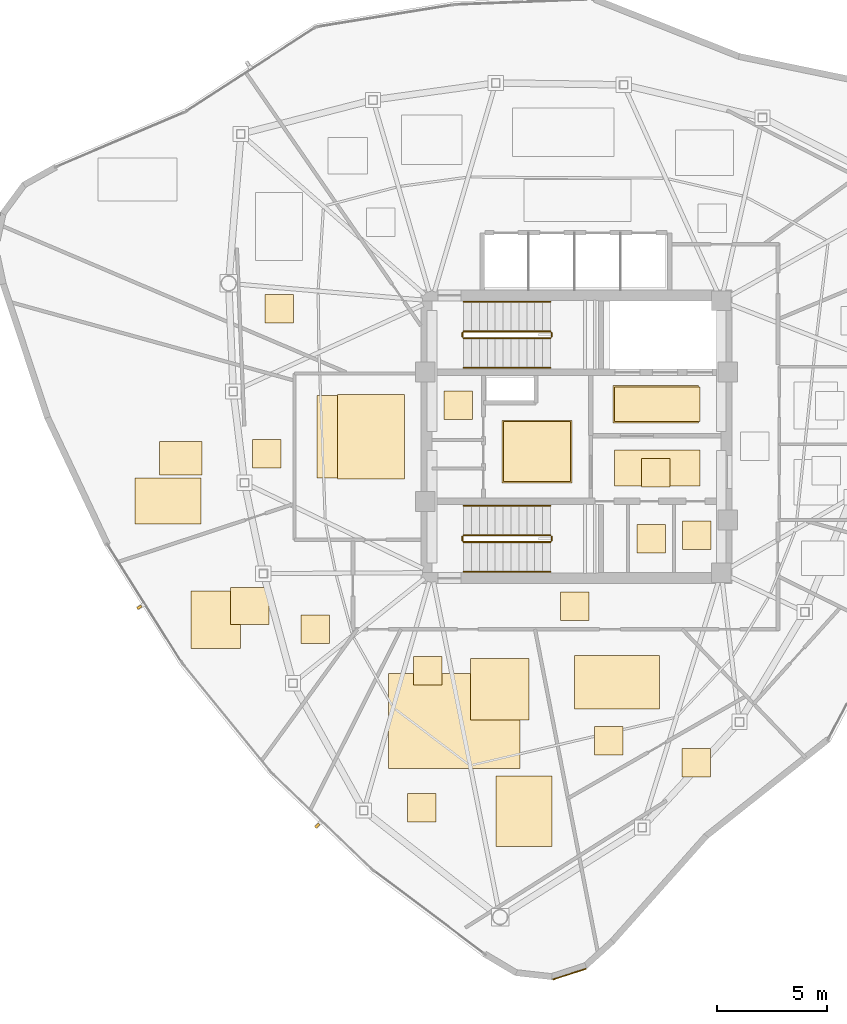
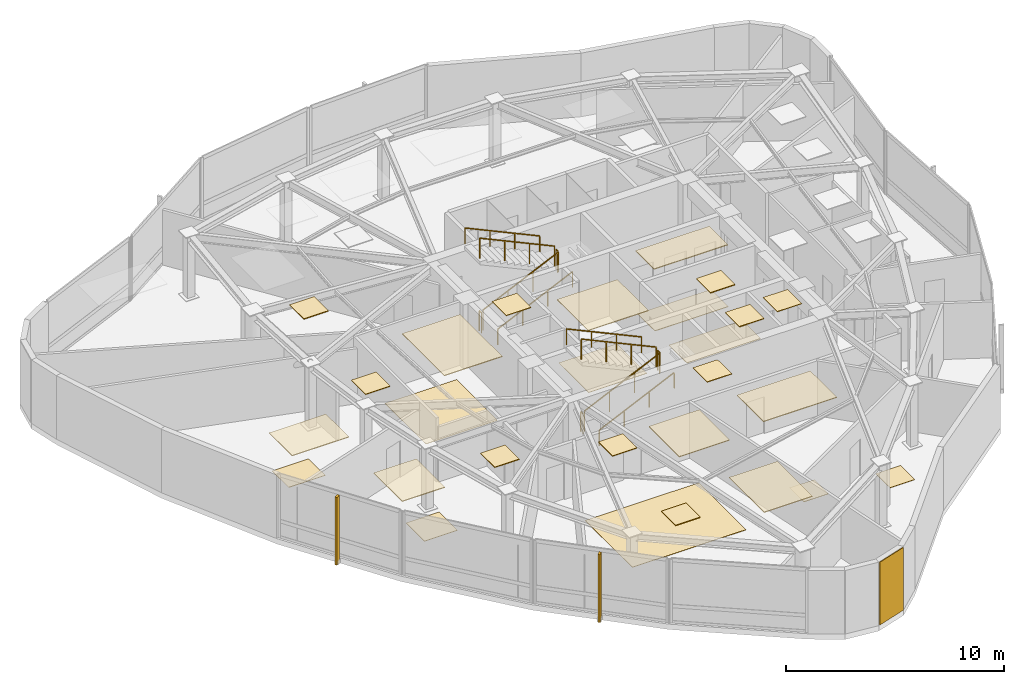
# One storey, part 11 of 12: 28 coverings, 12 railings, 2 shading devices.
"""IFC4 building model written with IfcOpenShell, lengths in metres."""

from ifc_helpers import new_model, si_unit, direction, frame, origin, origin_2d, place, context, subcontext, project, spatial, polyline, rectangle, outline, extrude, source, transform, mapped, material, layer, layer_set, type_object, type_shapes, element, save


model = new_model("IFC4")

# Units and contexts
model_context = context("Model", 3, precision=1e-05, world=origin(), true_north=direction((0.0, 1.0)))
body_context = subcontext(model_context, "Body", "Model", "MODEL_VIEW")
ifc_project = project(units=[si_unit("LENGTHUNIT", "METRE"), si_unit("AREAUNIT", "SQUARE_METRE"), si_unit("VOLUMEUNIT", "CUBIC_METRE"), si_unit("PLANEANGLEUNIT", "RADIAN"), si_unit("MASSUNIT", "GRAM", prefix="KILO")], contexts=[model_context])

# Site, building, storey
site_placement = place(None, origin())
site = spatial("IfcSite", under=ifc_project, at=site_placement, CompositionType="ELEMENT")
building_placement = place(site_placement, origin())
building = spatial("IfcBuilding", under=site, at=building_placement, Name="Tavelor Broadcast Tower", CompositionType="ELEMENT")
storey_placement = place(building_placement, frame((0.0, 0.0, 321.5)))
storey = spatial("IfcBuildingStorey", under=building, at=storey_placement, Name="L77", CompositionType="ELEMENT", Elevation=321.5)

# Coverings
ifc_material_1 = material(Name="Copper-Bronze Anodized Aluminium", Category="aluminium")
ifc_layer_1 = layer(ifc_material_1, 0.044921875)
ifc_layer_set_1 = layer_set([ifc_layer_1], Name="Copper-Bronze Anodized Aluminium")
covering_type_1 = type_object("IfcCoveringType", Name="Anodised Bronze Linear Slatted Concourse Ceiling 45 mm", PredefinedType="CEILING", material=ifc_layer_set_1)
covering_1_placement = place(storey_placement, frame((0.0, 0.0, 3.5048828125)))
element("IfcCovering", 1, at=covering_1_placement, inside=storey, type_object=covering_type_1, Name="L77 Suspended Acoustic Ceiling 2881", PredefinedType="CEILING", context=body_context, shape_type="SweptSolid", body=[
    extrude(outline(polyline([(51.659912109375, 45.6318359375), (55.55712890625, 45.6318359375), (55.55712890625, 47.328125), (51.659912109375, 47.328125), (51.659912109375, 45.6318359375)])), origin(), (0.0, 0.0, 1.0), 0.045166015625),
])
covering_2_placement = place(storey_placement, frame((0.0, 0.0, 3.5048828125)))
element("IfcCovering", 2, at=covering_2_placement, inside=storey, type_object=covering_type_1, Name="L77 Suspended Acoustic Ceiling 2882", PredefinedType="CEILING", context=body_context, shape_type="SweptSolid", body=[
    extrude(outline(polyline([(52.95361328125, 42.705078125), (54.25341796875, 42.705078125), (54.25341796875, 44.0048828125), (52.95361328125, 44.0048828125), (52.95361328125, 42.705078125)])), origin(), (0.0, 0.0, 1.0), 0.045166015625),
])
ifc_layer_2 = layer(ifc_material_1, 0.050048828125)
ifc_layer_set_2 = layer_set([ifc_layer_2], Name="Copper-Bronze Anodized Aluminium")
covering_type_2 = type_object("IfcCoveringType", Name="Champagne-Bronze Corner Pier Metal Cladding 50 mm", PredefinedType="CLADDING", material=ifc_layer_set_2)
covering_3_placement = place(storey_placement, frame((49.676513671875, 20.48779296875, 0.02001953125), z_axis=(0.0, 0.0, 1.0), x_axis=(0.951862260753, 0.306526078098, 0.0)))
element("IfcCovering", 3, at=covering_3_placement, inside=storey, type_object=covering_type_2, Name="L77 Champagne-Bronze Corner Cladding 13", PredefinedType="CLADDING", context=body_context, shape_type="SweptSolid", body=[
    extrude(rectangle(XDim=1.589111328125, YDim=0.050048828125, at=origin_2d()), origin(), (0.0, 0.0, 1.0), 3.510009765625),
])

# Railings
ifc_material_2 = material(Name="Steel S355", Category="steel")
railing_type_1 = type_object("IfcRailingType", Name="Continuous Brushed Stainless Handrail 900 mm", PredefinedType="HANDRAIL", material=ifc_material_2)
railing_1_placement = place(storey_placement, frame((44.85009765625, 48.14990234375, 0.166748046875)))
element("IfcRailing", 4, at=railing_1_placement, inside=storey, type_object=railing_type_1, Name="L77 ST1 stair handrail 1", PredefinedType="HANDRAIL", context=body_context, shape_type="SweptSolid", body=[
    extrude(rectangle(XDim=0.048095703125, YDim=0.048095703125, at=origin_2d()), frame((0.0, 0.0, 0.8759765625), z_axis=(0.907472437036, 0.0, 0.420111623286), x_axis=(0.0, 1.0, 0.0)), (0.0, 0.0, 1.0), 4.36376953125),
    extrude(rectangle(XDim=0.0419921875, YDim=0.0419921875, at=origin_2d()), origin(), (0.0, 0.0, 1.0), 0.851806640625),
    extrude(rectangle(XDim=0.0419921875, YDim=0.0419921875, at=origin_2d()), frame((1.320068359375, 0.0, 0.611083984375)), (0.0, 0.0, 1.0), 0.851806640625),
    extrude(rectangle(XDim=0.0419921875, YDim=0.0419921875, at=origin_2d()), frame((2.639892578125, 0.0, 1.22216796875)), (0.0, 0.0, 1.0), 0.851806640625),
    extrude(rectangle(XDim=0.0419921875, YDim=0.0419921875, at=origin_2d()), frame((3.9599609375, 0.0, 1.833251953125)), (0.0, 0.0, 1.0), 0.851806640625),
])
railing_2_placement = place(storey_placement, frame((48.81005859375, 51.14990234375, 2.166748046875)))
element("IfcRailing", 5, at=railing_2_placement, inside=storey, type_object=railing_type_1, Name="L77 ST1 stair handrail 2", PredefinedType="HANDRAIL", context=body_context, shape_type="SweptSolid", body=[
    extrude(rectangle(XDim=0.048095703125, YDim=0.048095703125, at=origin_2d()), frame((0.0, 0.0, 0.8759765625), z_axis=(-0.907472437036, 0.0, 0.420111623286), x_axis=(0.0, -1.0, 0.0)), (0.0, 0.0, 1.0), 4.36376953125),
    extrude(rectangle(XDim=0.0419921875, YDim=0.0419921875, at=origin_2d()), origin(), (0.0, 0.0, 1.0), 0.851806640625),
    extrude(rectangle(XDim=0.0419921875, YDim=0.0419921875, at=origin_2d()), frame((-1.320068359375, 0.0, 0.611083984375)), (0.0, 0.0, 1.0), 0.851806640625),
    extrude(rectangle(XDim=0.0419921875, YDim=0.0419921875, at=origin_2d()), frame((-2.639892578125, 0.0, 1.22216796875)), (0.0, 0.0, 1.0), 0.851806640625),
    extrude(rectangle(XDim=0.0419921875, YDim=0.0419921875, at=origin_2d()), frame((-3.9599609375, 0.0, 1.833251953125)), (0.0, 0.0, 1.0), 0.851806640625),
])
railing_3_placement = place(storey_placement, frame((44.85009765625, 38.85009765625, 0.166748046875)))
element("IfcRailing", 6, at=railing_3_placement, inside=storey, type_object=railing_type_1, Name="L77 ST2 stair handrail 1", PredefinedType="HANDRAIL", context=body_context, shape_type="SweptSolid", body=[
    extrude(rectangle(XDim=0.048095703125, YDim=0.048095703125, at=origin_2d()), frame((0.0, 0.0, 0.8759765625), z_axis=(0.907472437036, 0.0, 0.420111623286), x_axis=(0.0, 1.0, 0.0)), (0.0, 0.0, 1.0), 4.36376953125),
    extrude(rectangle(XDim=0.0419921875, YDim=0.0419921875, at=origin_2d()), origin(), (0.0, 0.0, 1.0), 0.851806640625),
    extrude(rectangle(XDim=0.0419921875, YDim=0.0419921875, at=origin_2d()), frame((1.320068359375, 0.0, 0.611083984375)), (0.0, 0.0, 1.0), 0.851806640625),
    extrude(rectangle(XDim=0.0419921875, YDim=0.0419921875, at=origin_2d()), frame((2.639892578125, 0.0, 1.22216796875)), (0.0, 0.0, 1.0), 0.851806640625),
    extrude(rectangle(XDim=0.0419921875, YDim=0.0419921875, at=origin_2d()), frame((3.9599609375, 0.0, 1.833251953125)), (0.0, 0.0, 1.0), 0.851806640625),
])
railing_4_placement = place(storey_placement, frame((48.81005859375, 41.85009765625, 2.166748046875)))
element("IfcRailing", 7, at=railing_4_placement, inside=storey, type_object=railing_type_1, Name="L77 ST2 stair handrail 2", PredefinedType="HANDRAIL", context=body_context, shape_type="SweptSolid", body=[
    extrude(rectangle(XDim=0.048095703125, YDim=0.048095703125, at=origin_2d()), frame((0.0, 0.0, 0.8759765625), z_axis=(-0.907472437036, 0.0, 0.420111623286), x_axis=(0.0, -1.0, 0.0)), (0.0, 0.0, 1.0), 4.36376953125),
    extrude(rectangle(XDim=0.0419921875, YDim=0.0419921875, at=origin_2d()), origin(), (0.0, 0.0, 1.0), 0.851806640625),
    extrude(rectangle(XDim=0.0419921875, YDim=0.0419921875, at=origin_2d()), frame((-1.320068359375, 0.0, 0.611083984375)), (0.0, 0.0, 1.0), 0.851806640625),
    extrude(rectangle(XDim=0.0419921875, YDim=0.0419921875, at=origin_2d()), frame((-2.639892578125, 0.0, 1.22216796875)), (0.0, 0.0, 1.0), 0.851806640625),
    extrude(rectangle(XDim=0.0419921875, YDim=0.0419921875, at=origin_2d()), frame((-3.9599609375, 0.0, 1.833251953125)), (0.0, 0.0, 1.0), 0.851806640625),
])

# Coverings
ifc_material_3 = material(Name="Architectural Anodized Aluminium", Category="aluminium")
ifc_layer_3 = layer(ifc_material_3, 0.034912109375)
ifc_layer_set_3 = layer_set([ifc_layer_3], Name="Architectural Anodized Aluminium")
covering_type_3 = type_object("IfcCoveringType", Name="Demountable Metal Tile Corridor Ceiling 35 mm", PredefinedType="CEILING", material=ifc_layer_set_3)
covering_4_placement = place(storey_placement, frame((0.0, 0.0, 3.514892578125)))
element("IfcCovering", 8, at=covering_4_placement, inside=storey, type_object=covering_type_3, Name="L77 Suspended Acoustic Ceiling 2888", PredefinedType="CEILING", context=body_context, shape_type="SweptSolid", body=[
    extrude(outline(polyline([(49.261474609375, 36.610107421875), (50.5615234375, 36.610107421875), (50.5615234375, 37.909912109375), (49.261474609375, 37.909912109375), (49.261474609375, 36.610107421875)])), origin(), (0.0, 0.0, 1.0), 0.03515625),
])
ifc_material_4 = material(Name="Acoustic Nylon Carpet Tile")
ifc_layer_4 = layer(ifc_material_4, 0.02001953125)
ifc_layer_set_4 = layer_set([ifc_layer_4], Name="Acoustic Nylon Carpet Tile")
covering_type_4 = type_object("IfcCoveringType", Name="Heavy-Duty Acoustic Broadcast Carpet Tile 20 mm", PredefinedType="FLOORING", material=ifc_layer_set_4)
covering_5_placement = place(storey_placement, origin())
element("IfcCovering", 9, at=covering_5_placement, inside=storey, type_object=covering_type_4, Name="L77 Broadcast Floor Finish 1142", PredefinedType="FLOORING", context=body_context, shape_type="SweptSolid", body=[
    extrude(outline(polyline([(46.6591796875, 42.953369140625), (49.730712890625, 42.953369140625), (49.730712890625, 45.6865234375), (46.6591796875, 45.6865234375), (46.6591796875, 42.953369140625)])), origin(), (0.0, 0.0, 1.0), 0.02001953125),
])
covering_6_placement = place(storey_placement, origin())
element("IfcCovering", 10, at=covering_6_placement, inside=storey, type_object=covering_type_4, Name="L77 Broadcast Floor Finish 1144", PredefinedType="FLOORING", context=body_context, shape_type="SweptSolid", body=[
    extrude(outline(polyline([(38.15771484375, 43.12890625), (41.942138671875, 43.12890625), (41.942138671875, 46.87060546875), (38.15771484375, 46.87060546875), (38.15771484375, 43.12890625)])), origin(), (0.0, 0.0, 1.0), 0.02001953125),
])
covering_7_placement = place(storey_placement, origin())
element("IfcCovering", 11, at=covering_7_placement, inside=storey, type_object=covering_type_4, Name="L77 Broadcast Floor Finish 1149", PredefinedType="FLOORING", context=body_context, shape_type="SweptSolid", body=[
    extrude(outline(polyline([(54.807861328125, 29.481689453125), (56.10791015625, 29.481689453125), (56.10791015625, 30.78173828125), (54.807861328125, 30.78173828125), (54.807861328125, 29.481689453125)])), origin(), (0.0, 0.0, 1.0), 0.02001953125),
])
covering_8_placement = place(storey_placement, origin())
element("IfcCovering", 12, at=covering_8_placement, inside=storey, type_object=covering_type_4, Name="L77 Broadcast Floor Finish 1150", PredefinedType="FLOORING", context=body_context, shape_type="SweptSolid", body=[
    extrude(outline(polyline([(41.417236328125, 29.875732421875), (47.423583984375, 29.875732421875), (47.423583984375, 34.19580078125), (41.417236328125, 34.19580078125), (41.417236328125, 29.875732421875)])), origin(), (0.0, 0.0, 1.0), 0.02001953125),
])
covering_9_placement = place(storey_placement, origin())
element("IfcCovering", 13, at=covering_9_placement, inside=storey, type_object=covering_type_4, Name="L77 Broadcast Floor Finish 1151", PredefinedType="FLOORING", context=body_context, shape_type="SweptSolid", body=[
    extrude(outline(polyline([(34.218505859375, 36.43798828125), (35.969970703125, 36.43798828125), (35.969970703125, 38.122314453125), (34.218505859375, 38.122314453125), (34.218505859375, 36.43798828125)])), origin(), (0.0, 0.0, 1.0), 0.02001953125),
])
covering_10_placement = place(storey_placement, origin())
element("IfcCovering", 14, at=covering_10_placement, inside=storey, type_object=covering_type_4, Name="L77 Broadcast Floor Finish 1152", PredefinedType="FLOORING", context=body_context, shape_type="SweptSolid", body=[
    extrude(outline(polyline([(30.98828125, 43.26123046875), (32.918212890625, 43.26123046875), (32.918212890625, 44.783935546875), (30.98828125, 44.783935546875), (30.98828125, 43.26123046875)])), origin(), (0.0, 0.0, 1.0), 0.02001953125),
])
covering_11_placement = place(storey_placement, origin())
element("IfcCovering", 15, at=covering_11_placement, inside=storey, type_object=covering_type_4, Name="L77 Broadcast Floor Finish 1154", PredefinedType="FLOORING", context=body_context, shape_type="SweptSolid", body=[
    extrude(outline(polyline([(50.82666015625, 30.4736328125), (52.126708984375, 30.4736328125), (52.126708984375, 31.773681640625), (50.82666015625, 31.773681640625), (50.82666015625, 30.4736328125)])), origin(), (0.0, 0.0, 1.0), 0.02001953125),
])
ifc_material_5 = material(Name="Honed Natural Limestone Tile", Category="masonry")
ifc_layer_5 = layer(ifc_material_5, 0.030029296875)
ifc_layer_set_5 = layer_set([ifc_layer_5], Name="Honed Natural Limestone Tile")
covering_type_5 = type_object("IfcCoveringType", Name="Honed Jerusalem Limestone Concourse Flooring 30 mm", PredefinedType="FLOORING", material=ifc_layer_set_5)
covering_12_placement = place(storey_placement, origin())
element("IfcCovering", 16, at=covering_12_placement, inside=storey, type_object=covering_type_5, Name="L77 Broadcast Floor Finish 1140", PredefinedType="FLOORING", context=body_context, shape_type="SweptSolid", body=[
    extrude(outline(polyline([(51.7373046875, 45.689453125), (55.62255859375, 45.689453125), (55.62255859375, 47.2705078125), (51.7373046875, 47.2705078125), (51.7373046875, 45.689453125)])), origin(), (0.0, 0.0, 1.0), 0.030029296875),
])
covering_13_placement = place(storey_placement, origin())
element("IfcCovering", 17, at=covering_13_placement, inside=storey, type_object=covering_type_5, Name="L77 Broadcast Floor Finish 1141", PredefinedType="FLOORING", context=body_context, shape_type="SweptSolid", body=[
    extrude(outline(polyline([(51.728759765625, 42.743408203125), (55.62109375, 42.743408203125), (55.62109375, 44.396484375), (51.728759765625, 44.396484375), (51.728759765625, 42.743408203125)])), origin(), (0.0, 0.0, 1.0), 0.030029296875),
])
ifc_layer_6 = layer(ifc_material_3, 0.030029296875)
ifc_layer_set_6 = layer_set([ifc_layer_6], Name="Architectural Anodized Aluminium")
covering_type_6 = type_object("IfcCoveringType", Name="Moisture-Resistant Washroom Ceiling 30 mm", PredefinedType="CEILING", material=ifc_layer_set_6)
covering_14_placement = place(storey_placement, frame((0.0, 0.0, 3.52001953125)))
element("IfcCovering", 18, at=covering_14_placement, inside=storey, type_object=covering_type_6, Name="L77 Suspended Acoustic Ceiling 2885", PredefinedType="CEILING", context=body_context, shape_type="SweptSolid", body=[
    extrude(outline(polyline([(54.843505859375, 39.866455078125), (56.1435546875, 39.866455078125), (56.1435546875, 41.16650390625), (54.843505859375, 41.16650390625), (54.843505859375, 39.866455078125)])), origin(), (0.0, 0.0, 1.0), 0.030029296875),
])
covering_15_placement = place(storey_placement, frame((0.0, 0.0, 3.52001953125)))
element("IfcCovering", 19, at=covering_15_placement, inside=storey, type_object=covering_type_6, Name="L77 Suspended Acoustic Ceiling 2886", PredefinedType="CEILING", context=body_context, shape_type="SweptSolid", body=[
    extrude(outline(polyline([(43.951416015625, 45.794921875), (45.25146484375, 45.794921875), (45.25146484375, 47.094970703125), (43.951416015625, 47.094970703125), (43.951416015625, 45.794921875)])), origin(), (0.0, 0.0, 1.0), 0.030029296875),
])

# Railings
railing_type_2 = type_object("IfcRailingType", Name="Stairwell Steel Safety Guardrail 1150 mm", PredefinedType="GUARDRAIL", material=ifc_material_2)
railing_5_placement = place(storey_placement, frame((44.85009765625, 49.5, 0.166748046875)))
element("IfcRailing", 20, at=railing_5_placement, inside=storey, type_object=railing_type_2, Name="L77 ST1 stair guard 1", PredefinedType="GUARDRAIL", context=body_context, shape_type="SweptSolid", body=[
    extrude(rectangle(XDim=0.048095703125, YDim=0.048095703125, at=origin_2d()), frame((0.0, 0.0, 1.1259765625), z_axis=(0.907472437036, 0.0, 0.420111623286), x_axis=(0.0, 1.0, 0.0)), (0.0, 0.0, 1.0), 4.36376953125),
    extrude(rectangle(XDim=0.0419921875, YDim=0.0419921875, at=origin_2d()), origin(), (0.0, 0.0, 1.0), 1.101806640625),
    extrude(rectangle(XDim=0.0419921875, YDim=0.0419921875, at=origin_2d()), frame((1.320068359375, 0.0, 0.611083984375)), (0.0, 0.0, 1.0), 1.101806640625),
    extrude(rectangle(XDim=0.0419921875, YDim=0.0419921875, at=origin_2d()), frame((2.639892578125, 0.0, 1.22216796875)), (0.0, 0.0, 1.0), 1.101806640625),
    extrude(rectangle(XDim=0.0419921875, YDim=0.0419921875, at=origin_2d()), frame((3.9599609375, 0.0, 1.833251953125)), (0.0, 0.0, 1.0), 1.101806640625),
])
railing_6_placement = place(storey_placement, frame((48.860107421875, 49.550048828125, 2.0)))
element("IfcRailing", 21, at=railing_6_placement, inside=storey, type_object=railing_type_2, Name="L77 ST1 stair guard 2", PredefinedType="GUARDRAIL", context=body_context, shape_type="SweptSolid", body=[
    extrude(rectangle(XDim=0.048095703125, YDim=0.048095703125, at=origin_2d()), frame((0.0, 0.0, 1.1259765625), z_axis=(0.0, 1.0, 0.0), x_axis=(-1.0, 0.0, 0.0)), (0.0, 0.0, 1.0), 0.199951171875),
    extrude(rectangle(XDim=0.0419921875, YDim=0.0419921875, at=origin_2d()), origin(), (0.0, 0.0, 1.0), 1.101806640625),
    extrude(rectangle(XDim=0.0419921875, YDim=0.0419921875, at=origin_2d()), frame((0.0, 0.199951171875, 0.0)), (0.0, 0.0, 1.0), 1.101806640625),
])
railing_7_placement = place(storey_placement, frame((48.81005859375, 49.800048828125, 2.166748046875)))
element("IfcRailing", 22, at=railing_7_placement, inside=storey, type_object=railing_type_2, Name="L77 ST1 stair guard 3", PredefinedType="GUARDRAIL", context=body_context, shape_type="SweptSolid", body=[
    extrude(rectangle(XDim=0.048095703125, YDim=0.048095703125, at=origin_2d()), frame((0.0, 0.0, 1.1259765625), z_axis=(-0.907472437036, 0.0, 0.420111623286), x_axis=(0.0, -1.0, 0.0)), (0.0, 0.0, 1.0), 4.36376953125),
    extrude(rectangle(XDim=0.0419921875, YDim=0.0419921875, at=origin_2d()), origin(), (0.0, 0.0, 1.0), 1.101806640625),
    extrude(rectangle(XDim=0.0419921875, YDim=0.0419921875, at=origin_2d()), frame((-1.320068359375, 0.0, 0.611083984375)), (0.0, 0.0, 1.0), 1.101806640625),
    extrude(rectangle(XDim=0.0419921875, YDim=0.0419921875, at=origin_2d()), frame((-2.639892578125, 0.0, 1.22216796875)), (0.0, 0.0, 1.0), 1.101806640625),
    extrude(rectangle(XDim=0.0419921875, YDim=0.0419921875, at=origin_2d()), frame((-3.9599609375, 0.0, 1.833251953125)), (0.0, 0.0, 1.0), 1.101806640625),
])
railing_8_placement = place(storey_placement, frame((44.800048828125, 49.550048828125, 0.0)))
element("IfcRailing", 23, at=railing_8_placement, inside=storey, type_object=railing_type_2, Name="L77 ST1 stair guard 4", PredefinedType="GUARDRAIL", context=body_context, shape_type="SweptSolid", body=[
    extrude(rectangle(XDim=0.048095703125, YDim=0.048095703125, at=origin_2d()), frame((0.0, 0.0, 1.1259765625), z_axis=(0.0, 1.0, 0.0), x_axis=(-1.0, 0.0, 0.0)), (0.0, 0.0, 1.0), 0.199951171875),
    extrude(rectangle(XDim=0.0419921875, YDim=0.0419921875, at=origin_2d()), origin(), (0.0, 0.0, 1.0), 1.101806640625),
    extrude(rectangle(XDim=0.0419921875, YDim=0.0419921875, at=origin_2d()), frame((0.0, 0.199951171875, 0.0)), (0.0, 0.0, 1.0), 1.101806640625),
])
railing_9_placement = place(storey_placement, frame((44.85009765625, 40.199951171875, 0.166748046875)))
element("IfcRailing", 24, at=railing_9_placement, inside=storey, type_object=railing_type_2, Name="L77 ST2 stair guard 1", PredefinedType="GUARDRAIL", context=body_context, shape_type="SweptSolid", body=[
    extrude(rectangle(XDim=0.048095703125, YDim=0.048095703125, at=origin_2d()), frame((0.0, 0.0, 1.1259765625), z_axis=(0.907472437036, 0.0, 0.420111623286), x_axis=(0.0, 1.0, 0.0)), (0.0, 0.0, 1.0), 4.36376953125),
    extrude(rectangle(XDim=0.0419921875, YDim=0.0419921875, at=origin_2d()), origin(), (0.0, 0.0, 1.0), 1.101806640625),
    extrude(rectangle(XDim=0.0419921875, YDim=0.0419921875, at=origin_2d()), frame((1.320068359375, 0.0, 0.611083984375)), (0.0, 0.0, 1.0), 1.101806640625),
    extrude(rectangle(XDim=0.0419921875, YDim=0.0419921875, at=origin_2d()), frame((2.639892578125, 0.0, 1.22216796875)), (0.0, 0.0, 1.0), 1.101806640625),
    extrude(rectangle(XDim=0.0419921875, YDim=0.0419921875, at=origin_2d()), frame((3.9599609375, 0.0, 1.833251953125)), (0.0, 0.0, 1.0), 1.101806640625),
])
railing_10_placement = place(storey_placement, frame((48.860107421875, 40.25, 2.0)))
element("IfcRailing", 25, at=railing_10_placement, inside=storey, type_object=railing_type_2, Name="L77 ST2 stair guard 2", PredefinedType="GUARDRAIL", context=body_context, shape_type="SweptSolid", body=[
    extrude(rectangle(XDim=0.048095703125, YDim=0.048095703125, at=origin_2d()), frame((0.0, 0.0, 1.1259765625), z_axis=(0.0, 1.0, 0.0), x_axis=(-1.0, 0.0, 0.0)), (0.0, 0.0, 1.0), 0.199951171875),
    extrude(rectangle(XDim=0.0419921875, YDim=0.0419921875, at=origin_2d()), origin(), (0.0, 0.0, 1.0), 1.101806640625),
    extrude(rectangle(XDim=0.0419921875, YDim=0.0419921875, at=origin_2d()), frame((0.0, 0.199951171875, 0.0)), (0.0, 0.0, 1.0), 1.101806640625),
])
railing_11_placement = place(storey_placement, frame((48.81005859375, 40.5, 2.166748046875)))
element("IfcRailing", 26, at=railing_11_placement, inside=storey, type_object=railing_type_2, Name="L77 ST2 stair guard 3", PredefinedType="GUARDRAIL", context=body_context, shape_type="SweptSolid", body=[
    extrude(rectangle(XDim=0.048095703125, YDim=0.048095703125, at=origin_2d()), frame((0.0, 0.0, 1.1259765625), z_axis=(-0.907472437036, 0.0, 0.420111623286), x_axis=(0.0, -1.0, 0.0)), (0.0, 0.0, 1.0), 4.36376953125),
    extrude(rectangle(XDim=0.0419921875, YDim=0.0419921875, at=origin_2d()), origin(), (0.0, 0.0, 1.0), 1.101806640625),
    extrude(rectangle(XDim=0.0419921875, YDim=0.0419921875, at=origin_2d()), frame((-1.320068359375, 0.0, 0.611083984375)), (0.0, 0.0, 1.0), 1.101806640625),
    extrude(rectangle(XDim=0.0419921875, YDim=0.0419921875, at=origin_2d()), frame((-2.639892578125, 0.0, 1.22216796875)), (0.0, 0.0, 1.0), 1.101806640625),
    extrude(rectangle(XDim=0.0419921875, YDim=0.0419921875, at=origin_2d()), frame((-3.9599609375, 0.0, 1.833251953125)), (0.0, 0.0, 1.0), 1.101806640625),
])
railing_12_placement = place(storey_placement, frame((44.800048828125, 40.25, 0.0)))
element("IfcRailing", 27, at=railing_12_placement, inside=storey, type_object=railing_type_2, Name="L77 ST2 stair guard 4", PredefinedType="GUARDRAIL", context=body_context, shape_type="SweptSolid", body=[
    extrude(rectangle(XDim=0.048095703125, YDim=0.048095703125, at=origin_2d()), frame((0.0, 0.0, 1.1259765625), z_axis=(0.0, 1.0, 0.0), x_axis=(-1.0, 0.0, 0.0)), (0.0, 0.0, 1.0), 0.199951171875),
    extrude(rectangle(XDim=0.0419921875, YDim=0.0419921875, at=origin_2d()), origin(), (0.0, 0.0, 1.0), 1.101806640625),
    extrude(rectangle(XDim=0.0419921875, YDim=0.0419921875, at=origin_2d()), frame((0.0, 0.199951171875, 0.0)), (0.0, 0.0, 1.0), 1.101806640625),
])

# Coverings
ifc_material_6 = material(Name="Acoustic Mineral Fibre Tile")
ifc_layer_7 = layer(ifc_material_6, 0.0400390625)
ifc_layer_set_7 = layer_set([ifc_layer_7], Name="Acoustic Mineral Fibre Tile")
covering_type_7 = type_object("IfcCoveringType", Name="Suspended Acoustic Mineral-Fibre Office Ceiling 40 mm", PredefinedType="CEILING", material=ifc_layer_set_7)
covering_16_placement = place(storey_placement, frame((0.0, 0.0, 3.510009765625)))
element("IfcCovering", 28, at=covering_16_placement, inside=storey, type_object=covering_type_7, Name="L77 Suspended Acoustic Ceiling 2883", PredefinedType="CEILING", context=body_context, shape_type="SweptSolid", body=[
    extrude(outline(polyline([(46.6015625, 42.895751953125), (49.788330078125, 42.895751953125), (49.788330078125, 45.744140625), (46.6015625, 45.744140625), (46.6015625, 42.895751953125)])), origin(), (0.0, 0.0, 1.0), 0.0400390625),
])
covering_17_placement = place(storey_placement, frame((0.0, 0.0, 3.510009765625)))
element("IfcCovering", 29, at=covering_17_placement, inside=storey, type_object=covering_type_7, Name="L77 Suspended Acoustic Ceiling 2884", PredefinedType="CEILING", context=body_context, shape_type="SweptSolid", body=[
    extrude(outline(polyline([(52.75, 39.699951171875), (54.050048828125, 39.699951171875), (54.050048828125, 41.0), (52.75, 41.0), (52.75, 39.699951171875)])), origin(), (0.0, 0.0, 1.0), 0.0400390625),
])
covering_18_placement = place(storey_placement, frame((0.0, 0.0, 3.510009765625)))
element("IfcCovering", 30, at=covering_18_placement, inside=storey, type_object=covering_type_7, Name="L77 Suspended Acoustic Ceiling 2889", PredefinedType="CEILING", context=body_context, shape_type="SweptSolid", body=[
    extrude(outline(polyline([(39.10107421875, 43.0712890625), (42.16259765625, 43.0712890625), (42.16259765625, 46.927978515625), (39.10107421875, 46.927978515625), (39.10107421875, 43.0712890625)])), origin(), (0.0, 0.0, 1.0), 0.0400390625),
])
covering_19_placement = place(storey_placement, frame((0.0, 0.0, 3.510009765625)))
element("IfcCovering", 31, at=covering_19_placement, inside=storey, type_object=covering_type_7, Name="L77 Suspended Acoustic Ceiling 2894", PredefinedType="CEILING", context=body_context, shape_type="SweptSolid", body=[
    extrude(outline(polyline([(42.554443359375, 33.66650390625), (43.8544921875, 33.66650390625), (43.8544921875, 34.966552734375), (42.554443359375, 34.966552734375), (42.554443359375, 33.66650390625)])), origin(), (0.0, 0.0, 1.0), 0.0400390625),
])
covering_20_placement = place(storey_placement, frame((0.0, 0.0, 3.510009765625)))
element("IfcCovering", 32, at=covering_20_placement, inside=storey, type_object=covering_type_7, Name="L77 Suspended Acoustic Ceiling 2895", PredefinedType="CEILING", context=body_context, shape_type="SweptSolid", body=[
    extrude(outline(polyline([(45.173583984375, 32.08837890625), (47.835693359375, 32.08837890625), (47.835693359375, 34.877197265625), (45.173583984375, 34.877197265625), (45.173583984375, 32.08837890625)])), origin(), (0.0, 0.0, 1.0), 0.0400390625),
])
covering_21_placement = place(storey_placement, frame((0.0, 0.0, 3.510009765625)))
element("IfcCovering", 33, at=covering_21_placement, inside=storey, type_object=covering_type_7, Name="L77 Suspended Acoustic Ceiling 2896", PredefinedType="CEILING", context=body_context, shape_type="SweptSolid", body=[
    extrude(outline(polyline([(46.32470703125, 26.308349609375), (48.87158203125, 26.308349609375), (48.87158203125, 29.51611328125), (46.32470703125, 29.51611328125), (46.32470703125, 26.308349609375)])), origin(), (0.0, 0.0, 1.0), 0.0400390625),
])
covering_22_placement = place(storey_placement, frame((0.0, 0.0, 3.510009765625)))
element("IfcCovering", 34, at=covering_22_placement, inside=storey, type_object=covering_type_7, Name="L77 Suspended Acoustic Ceiling 2897", PredefinedType="CEILING", context=body_context, shape_type="SweptSolid", body=[
    extrude(outline(polyline([(42.2939453125, 27.43359375), (43.593994140625, 27.43359375), (43.593994140625, 28.7333984375), (42.2939453125, 28.7333984375), (42.2939453125, 27.43359375)])), origin(), (0.0, 0.0, 1.0), 0.0400390625),
])
covering_23_placement = place(storey_placement, frame((0.0, 0.0, 3.510009765625)))
element("IfcCovering", 35, at=covering_23_placement, inside=storey, type_object=covering_type_7, Name="L77 Suspended Acoustic Ceiling 2898", PredefinedType="CEILING", context=body_context, shape_type="SweptSolid", body=[
    extrude(outline(polyline([(32.414794921875, 35.34619140625), (34.669677734375, 35.34619140625), (34.669677734375, 37.955810546875), (32.414794921875, 37.955810546875), (32.414794921875, 35.34619140625)])), origin(), (0.0, 0.0, 1.0), 0.0400390625),
])
covering_24_placement = place(storey_placement, frame((0.0, 0.0, 3.510009765625)))
element("IfcCovering", 36, at=covering_24_placement, inside=storey, type_object=covering_type_7, Name="L77 Suspended Acoustic Ceiling 2899", PredefinedType="CEILING", context=body_context, shape_type="SweptSolid", body=[
    extrude(outline(polyline([(37.435546875, 35.577392578125), (38.735595703125, 35.577392578125), (38.735595703125, 36.877197265625), (37.435546875, 36.877197265625), (37.435546875, 35.577392578125)])), origin(), (0.0, 0.0, 1.0), 0.0400390625),
])
covering_25_placement = place(storey_placement, frame((0.0, 0.0, 3.510009765625)))
element("IfcCovering", 37, at=covering_25_placement, inside=storey, type_object=covering_type_7, Name="L77 Suspended Acoustic Ceiling 2900", PredefinedType="CEILING", context=body_context, shape_type="SweptSolid", body=[
    extrude(outline(polyline([(35.22998046875, 43.5810546875), (36.52978515625, 43.5810546875), (36.52978515625, 44.881103515625), (35.22998046875, 44.881103515625), (35.22998046875, 43.5810546875)])), origin(), (0.0, 0.0, 1.0), 0.0400390625),
])
covering_26_placement = place(storey_placement, frame((0.0, 0.0, 3.510009765625)))
element("IfcCovering", 38, at=covering_26_placement, inside=storey, type_object=covering_type_7, Name="L77 Suspended Acoustic Ceiling 2901", PredefinedType="CEILING", context=body_context, shape_type="SweptSolid", body=[
    extrude(outline(polyline([(29.8701171875, 41.02001953125), (32.8681640625, 41.02001953125), (32.8681640625, 43.117919921875), (29.8701171875, 43.117919921875), (29.8701171875, 41.02001953125)])), origin(), (0.0, 0.0, 1.0), 0.0400390625),
])
covering_27_placement = place(storey_placement, frame((0.0, 0.0, 3.510009765625)))
element("IfcCovering", 39, at=covering_27_placement, inside=storey, type_object=covering_type_7, Name="L77 Suspended Acoustic Ceiling 2903", PredefinedType="CEILING", context=body_context, shape_type="SweptSolid", body=[
    extrude(outline(polyline([(35.78955078125, 50.19775390625), (37.089599609375, 50.19775390625), (37.089599609375, 51.497802734375), (35.78955078125, 51.497802734375), (35.78955078125, 50.19775390625)])), origin(), (0.0, 0.0, 1.0), 0.0400390625),
])
covering_28_placement = place(storey_placement, frame((0.0, 0.0, 3.510009765625)))
element("IfcCovering", 40, at=covering_28_placement, inside=storey, type_object=covering_type_7, Name="L77 Suspended Acoustic Ceiling 2911", PredefinedType="CEILING", context=body_context, shape_type="SweptSolid", body=[
    extrude(outline(polyline([(49.9169921875, 32.59130859375), (53.7880859375, 32.59130859375), (53.7880859375, 35.019287109375), (49.9169921875, 35.019287109375), (49.9169921875, 32.59130859375)])), origin(), (0.0, 0.0, 1.0), 0.0400390625),
])

# Shading devices
ifc_material_7 = material(Name="Kiln-Fired Glazed Terracotta", Category="masonry")
shading_device_type = type_object("IfcShadingDeviceType", Name="Extruded Terracotta Baguette Sun-Screen 110x240", PredefinedType="JALOUSIE", material=ifc_material_7)
shared_shape = source(origin(), body_context, "Body", "SweptSolid", [
    extrude(rectangle(XDim=0.110107421875, YDim=0.239990234375, at=origin_2d()), origin(), (0.0, 0.0, 1.0), 3.7900390625),
])
type_shapes(shading_device_type, [shared_shape])
for number, where, z_axis, x_axis, name in (
    (41, (30.056396484375, 37.21923828125, -0.260009765625), (0.0, 0.0, 1.0), (0.533171620737, -0.846007105668, 0.0), "L77 Terracotta Baguette Fin 733"),
    (42, (38.174072265625, 27.25732421875, -0.260009765625), (0.0, 0.0, 1.0), (0.72091407724, -0.693024453563, 0.0), "L77 Terracotta Baguette Fin 734"),
):
    element("IfcShadingDevice", number, at=place(storey_placement, frame(where, z_axis=z_axis, x_axis=x_axis)), inside=storey, type_object=shading_device_type, Name=name, PredefinedType="JALOUSIE", context=body_context, shape_type="MappedRepresentation", body=[
        mapped(shared_shape, transform((0.0, 0.0, 0.0), scale=1.0)),
    ])

save(model, "model.ifc")
